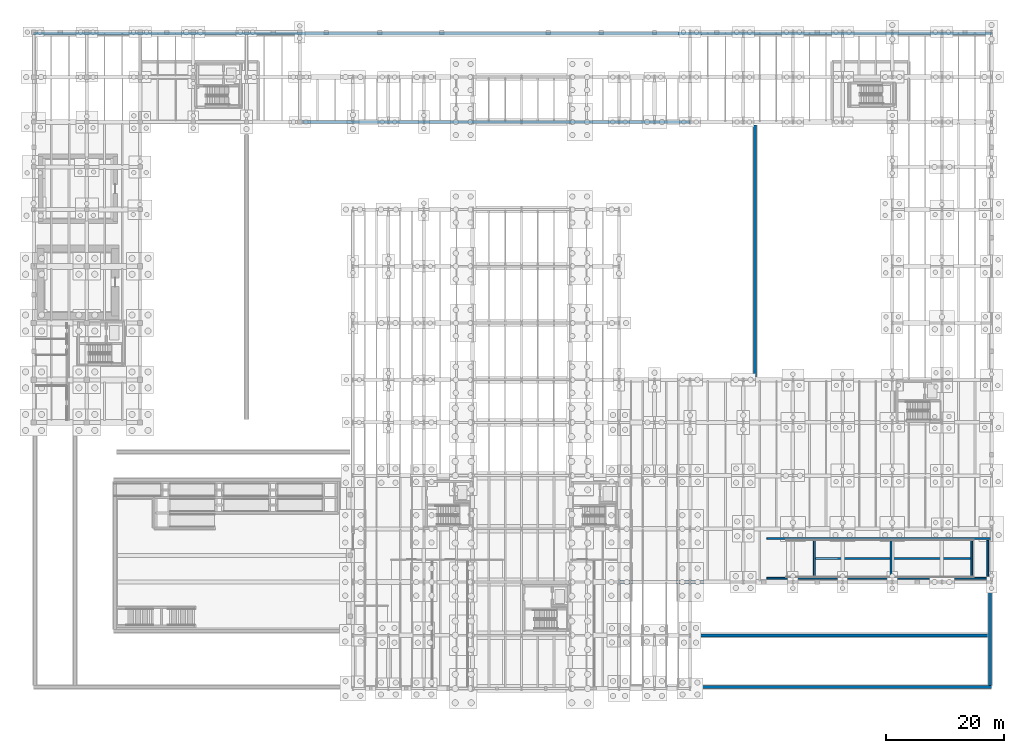
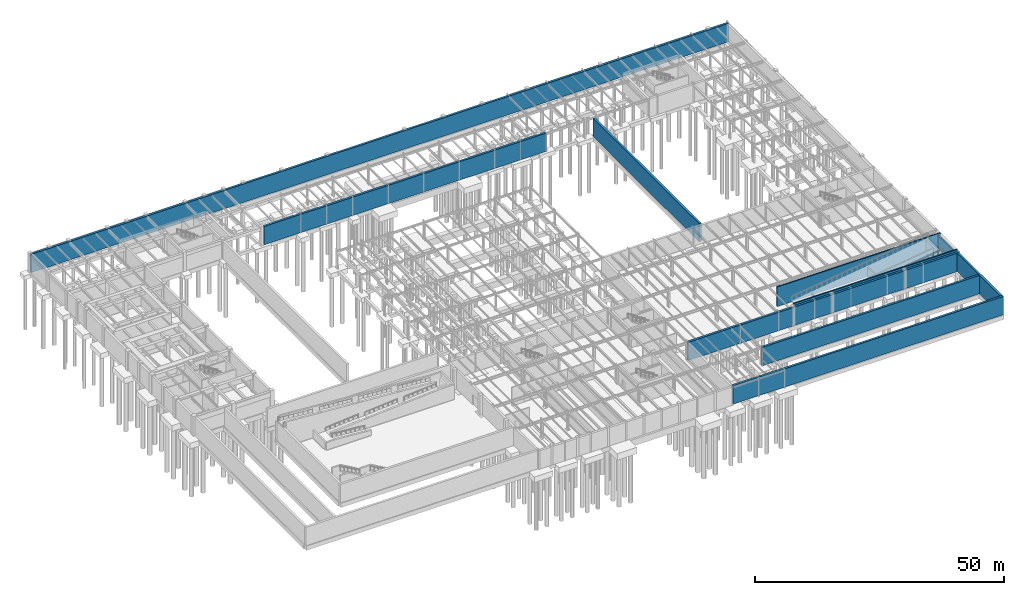
# One storey, part 46 of 59: 14 walls.
"""IFC4 building model written with IfcOpenShell, lengths in metres."""

from ifc_helpers import new_model, si_unit, direction, frame, frame_2d, origin, place, context, subcontext, project, spatial, polyline, rectangle, outline, extrude, material, layer, layer_set, type_object, element, save


model = new_model("IFC4")

# Units and contexts
model_context = context("Model", 3, precision=1e-05, world=origin(), true_north=direction((0.0, 1.0)))
body_context = subcontext(model_context, "Body", "Model", "MODEL_VIEW")
ifc_project = project(units=[si_unit("LENGTHUNIT", "METRE"), si_unit("AREAUNIT", "SQUARE_METRE"), si_unit("VOLUMEUNIT", "CUBIC_METRE"), si_unit("PLANEANGLEUNIT", "RADIAN"), si_unit("MASSUNIT", "GRAM", prefix="KILO")], contexts=[model_context])

# Site, building, storey
site_placement = place(None, origin())
site = spatial("IfcSite", under=ifc_project, at=site_placement, CompositionType="ELEMENT")
building_placement = place(site_placement, origin())
building = spatial("IfcBuilding", under=site, at=building_placement, Name="Montealbar Specialist Clinic", CompositionType="ELEMENT")
storey_placement = place(building_placement, frame((0.0, 0.0, -4.800048828125)))
storey = spatial("IfcBuildingStorey", under=building, at=storey_placement, Name="B01", CompositionType="ELEMENT", Elevation=-4.800048828125)

# Walls
ifc_material = material(Name="Concrete C35/45", Category="concrete")
ifc_layer_1 = layer(ifc_material, 0.300048828125, Name="Concrete C35/45", Category="concrete")
ifc_layer_set_1 = layer_set([ifc_layer_1], Name="Concrete C35/45")
wall_type_1 = type_object("IfcWallType", Name="WL-CORE-300", PredefinedType="SHEAR", material=ifc_layer_set_1)
wall_1_placement = place(storey_placement, frame((132.0, 18.949951171875, 0.0), z_axis=(0.0, 0.0, 1.0), x_axis=(0.0, 1.0, 0.0)))
element("IfcWall", 1, at=wall_1_placement, inside=storey, type_object=wall_type_1, Name="Vehicle Ramp Structural Pier Wall W", PredefinedType="SHEAR", context=body_context, shape_type="SweptSolid", body=[
    extrude(rectangle(XDim=6.10009765625, YDim=0.300048828125, at=frame_2d((3.050048828125, 0.0))), origin(), (0.0, 0.0, 1.0), 0.662109375),
])
wall_2_placement = place(storey_placement, frame((145.0, 18.949951171875, 0.0), z_axis=(0.0, 0.0, 1.0), x_axis=(0.0, 1.0, 0.0)))
element("IfcWall", 2, at=wall_2_placement, inside=storey, type_object=wall_type_1, Name="Vehicle Ramp Structural Pier Wall M", PredefinedType="SHEAR", context=body_context, shape_type="SweptSolid", body=[
    extrude(rectangle(XDim=6.10009765625, YDim=0.300048828125, at=frame_2d((3.050048828125, 0.0))), origin(), (0.0, 0.0, 1.0), 2.445068359375),
])
wall_3_placement = place(storey_placement, frame((158.64990234375, 18.949951171875, 0.0), z_axis=(0.0, 0.0, 1.0), x_axis=(0.0, 1.0, 0.0)))
element("IfcWall", 3, at=wall_3_placement, inside=storey, type_object=wall_type_1, Name="Vehicle Ramp Structural Pier Wall E", PredefinedType="SHEAR", context=body_context, shape_type="SweptSolid", body=[
    extrude(rectangle(XDim=6.10009765625, YDim=0.300048828125, at=frame_2d((3.050048828125, 0.0))), origin(), (0.0, 0.0, 1.0), 4.317138671875),
])
wall_4_placement = place(storey_placement, frame((132.25, 22.0, 0.0), z_axis=(0.0, 0.0, 1.0), x_axis=(1.0, 0.0, 0.0)))
element("IfcWall", 4, at=wall_4_placement, inside=storey, type_object=wall_type_1, Name="Vehicle Ramp Longitudinal Spine Support Wall", PredefinedType="SHEAR", context=body_context, shape_type="SweptSolid", body=[
    extrude(outline(polyline([(0.0, 0.0), (26.14990234375, 0.0), (26.14990234375, 4.282958984375), (0.0, 0.697021484375), (0.0, 0.0)])), frame((0.0, 0.14990234375, 0.0), z_axis=(0.0, -1.0, 0.0), x_axis=(1.0, 0.0, 0.0)), (0.0, 0.0, 1.0), 0.300048828125),
])
wall_5_placement = place(storey_placement, frame((161.35009765625, 18.949951171875, 0.0), z_axis=(0.0, 0.0, 1.0), x_axis=(0.0, 1.0, 0.0)))
element("IfcWall", 5, at=wall_5_placement, inside=storey, type_object=wall_type_1, Name="Vehicle Ramp Top Landing Support Wall", PredefinedType="SHEAR", context=body_context, shape_type="SweptSolid", body=[
    extrude(rectangle(XDim=6.10009765625, YDim=0.300048828125, at=frame_2d((3.050048828125, 0.0))), origin(), (0.0, 0.0, 1.0), 4.580078125),
])
for number, where, z_axis, x_axis, name in (
    (6, (124.0, 18.64990234375, 0.0), (0.0, 0.0, 1.0), (1.0, 0.0, 0.0), "Vehicle Ramp Cheek Wall S"),
    (7, (124.0, 25.35009765625, 0.0), (0.0, 0.0, 1.0), (1.0, 0.0, 0.0), "Vehicle Ramp Cheek Wall N"),
):
    element("IfcWall", number, at=place(storey_placement, frame(where, z_axis=z_axis, x_axis=x_axis)), inside=storey, type_object=wall_type_1, Name=name, PredefinedType="SHEAR", context=body_context, shape_type="SweptSolid", body=[
        extrude(rectangle(XDim=38.0, YDim=0.300048828125, at=frame_2d((19.0, 0.0))), origin(), (0.0, 0.0, 1.0), 4.800048828125),
    ])
ifc_layer_2 = layer(ifc_material, 0.5, Name="Concrete C35/45", Category="concrete")
ifc_layer_set_2 = layer_set([ifc_layer_2], Name="Concrete C35/45")
wall_type_2 = type_object("IfcWallType", Name="WL-RET-500", PredefinedType="SOLIDWALL", material=ifc_layer_set_2)
wall_6_placement = place(storey_placement, frame((162.0, 18.0, 0.0), z_axis=(0.0, 0.0, 1.0), x_axis=(-1.0, 0.0, 0.0)))
element("IfcWall", 8, at=wall_6_placement, inside=storey, type_object=wall_type_2, Name="Basement Retaining Wall B01-07", PredefinedType="SOLIDWALL", context=body_context, shape_type="SweptSolid", body=[
    extrude(rectangle(XDim=63.0, YDim=0.5, at=frame_2d((31.5, 0.0))), origin(), (0.0, 0.0, 1.0), 4.5),
])
wall_7_placement = place(storey_placement, frame((99.25, 0.25, 0.0), z_axis=(0.0, 0.0, 1.0), x_axis=(1.0, 0.0, 0.0)))
element("IfcWall", 9, at=wall_7_placement, inside=storey, type_object=wall_type_2, Name="Perimeter Plinth Retaining Wall SE-S1", PredefinedType="SOLIDWALL", context=body_context, shape_type="SweptSolid", body=[
    extrude(rectangle(XDim=62.75, YDim=0.5, at=frame_2d((31.375, 0.0))), origin(), (0.0, 0.0, 1.0), 4.5),
])
wall_8_placement = place(storey_placement, frame((0.0, 110.75, 0.0), z_axis=(0.0, 0.0, 1.0), x_axis=(1.0, 0.0, 0.0)))
element("IfcWall", 10, at=wall_8_placement, inside=storey, type_object=wall_type_2, Name="Perimeter Plinth Retaining Wall N-ALL", PredefinedType="SOLIDWALL", context=body_context, shape_type="SweptSolid", body=[
    extrude(rectangle(XDim=162.0, YDim=0.5, at=frame_2d((81.0, 0.0))), origin(), (0.0, 0.0, 1.0), 4.5),
])
wall_9_placement = place(storey_placement, frame((161.75, 0.5, 0.0), z_axis=(0.0, 0.0, 1.0), x_axis=(0.0, 1.0, 0.0)))
element("IfcWall", 11, at=wall_9_placement, inside=storey, type_object=wall_type_2, Name="Perimeter Plinth Retaining Wall SE-E", PredefinedType="SOLIDWALL", context=body_context, shape_type="SweptSolid", body=[
    extrude(rectangle(XDim=17.25, YDim=0.5, at=frame_2d((8.625, 0.0))), origin(), (0.0, 0.0, 1.0), 4.5),
])
wall_10_placement = place(storey_placement, frame((111.0, 9.0, 0.0), z_axis=(0.0, 0.0, 1.0), x_axis=(1.0, 0.0, 0.0)))
element("IfcWall", 12, at=wall_10_placement, inside=storey, type_object=wall_type_2, Name="Perimeter Plinth Retaining Wall SUP-SE1", PredefinedType="SOLIDWALL", context=body_context, shape_type="SweptSolid", body=[
    extrude(rectangle(XDim=50.75, YDim=0.5, at=frame_2d((25.375, 0.0))), origin(), (0.0, 0.0, 1.0), 4.5),
])
wall_11_placement = place(storey_placement, frame((122.0, 52.699951171875, 0.0), z_axis=(0.0, 0.0, 1.0), x_axis=(0.0, 1.0, 0.0)))
element("IfcWall", 13, at=wall_11_placement, inside=storey, type_object=wall_type_2, Name="Perimeter Plinth Retaining Wall SUP-EC1", PredefinedType="SOLIDWALL", context=body_context, shape_type="SweptSolid", body=[
    extrude(rectangle(XDim=42.60009765625, YDim=0.5, at=frame_2d((21.300048828125, 0.0))), origin(), (0.0, 0.0, 1.0), 4.5),
])
wall_12_placement = place(storey_placement, frame((45.5, 95.800048828125, 0.0), z_axis=(0.0, 0.0, 1.0), x_axis=(1.0, 0.0, 0.0)))
element("IfcWall", 14, at=wall_12_placement, inside=storey, type_object=wall_type_2, Name="Perimeter Plinth Retaining Wall SUP-NP1", PredefinedType="SOLIDWALL", context=body_context, shape_type="SweptSolid", body=[
    extrude(rectangle(XDim=65.5, YDim=0.5, at=frame_2d((32.75, 0.0))), origin(), (0.0, 0.0, 1.0), 4.5),
])

save(model, "model.ifc")
